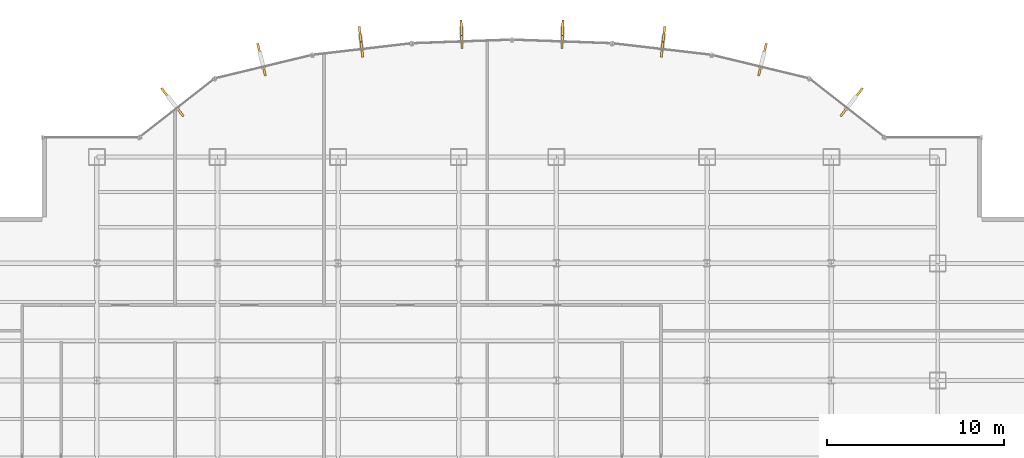
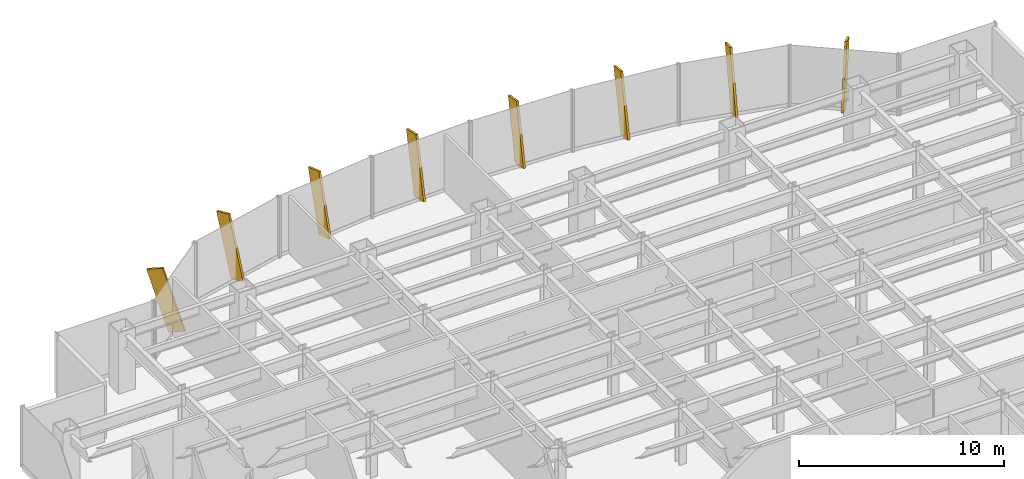
# One storey, part 21 of 22: 8 shading devices.
"""IFC4 building model written with IfcOpenShell, lengths in metres."""

from ifc_helpers import new_model, si_unit, derived_unit, direction, frame, origin, origin_2d, place, context, subcontext, project, spatial, rectangle, extrude, source, transform, mapped, material, type_object, element, save


model = new_model("IFC4")

# Units and contexts
model_context = context("Model", 3, precision=1e-05, world=origin(), true_north=direction((0.0, 1.0)))
body_context = subcontext(model_context, "Body", "Model", "MODEL_VIEW")
ifc_project = project(units=[si_unit("LENGTHUNIT", "METRE"), si_unit("AREAUNIT", "SQUARE_METRE"), si_unit("VOLUMEUNIT", "CUBIC_METRE"), si_unit("PLANEANGLEUNIT", "RADIAN"), si_unit("MASSUNIT", "GRAM", prefix="KILO"), derived_unit("THERMALTRANSMITTANCEUNIT", [(si_unit("POWERUNIT", "WATT"), 1), (si_unit("LENGTHUNIT", "METRE"), -2), (si_unit("THERMODYNAMICTEMPERATUREUNIT", "KELVIN"), -1)])], contexts=[model_context])

# Site, building, storey
site_placement = place(None, origin())
site = spatial("IfcSite", under=ifc_project, at=site_placement, CompositionType="ELEMENT")
building_placement = place(site_placement, origin())
building = spatial("IfcBuilding", under=site, at=building_placement, Name="Skarnbrae Concourse Arena and Tower", CompositionType="ELEMENT")
storey_placement = place(building_placement, frame((0.0, 0.0, 65.35009765625)))
storey = spatial("IfcBuildingStorey", under=building, at=storey_placement, Name="L15", CompositionType="ELEMENT", Elevation=65.35009765625)

# Shading devices
ifc_material = material(Name="Bronze anodised aluminium 6063-T6", Category="aluminium")
shading_device_type = type_object("IfcShadingDeviceType", Name="SHD-BRONZE-FIN-900", PredefinedType="USERDEFINED", material=ifc_material)
shared_shape = source(origin(), body_context, "Body", "SweptSolid", [
    extrude(rectangle(XDim=0.1201171875, YDim=0.89990234375, at=origin_2d()), origin(), (0.0, 0.0, 1.0), 3.64990234375),
])
for number, where, z_axis, x_axis, name in (
    (1, (49.784423828125, 43.030029296875, 0.0947265625), (0.19580213261, 0.250317994447, 0.94815738489), (0.787656027369, -0.616115234797, 0.0), "L15 Outward-leaning bronze shading fin 08"),
    (2, (44.99755859375, 45.385498046875, 0.07373046875), (0.066100416019, 0.273288980995, 0.959658203669), (0.971973311258, -0.235091221021, 0.0), "L15 Outward-leaning bronze shading fin 09"),
    (3, (39.46142578125, 46.452880859375, 0.052734375), (0.02772035435, 0.237258553337, 0.971050956862), (0.993243759876, -0.116046686587, 0.0), "L15 Outward-leaning bronze shading fin 10"),
    (4, (33.829345703125, 46.96142578125, 0.03515625), (0.007020947443, 0.195477788682, 0.98068299691), (0.999355613141, -0.035893710914, 0.0), "L15 Outward-leaning bronze shading fin 11"),
    (5, (28.170654296875, 46.96142578125, 0.03515625), (-0.007020947443, 0.195477788682, 0.98068299691), (0.999355613141, 0.035893710914, 0.0), "L15 Outward-leaning bronze shading fin 12"),
    (6, (22.53857421875, 46.452880859375, 0.052734375), (-0.02772035435, 0.237258553337, 0.971050956862), (0.993243759876, 0.116046686587, 0.0), "L15 Outward-leaning bronze shading fin 13"),
    (7, (17.00244140625, 45.385498046875, 0.07373046875), (-0.066100416019, 0.273288980995, 0.959658203669), (0.971973311258, 0.235091221021, 0.0), "L15 Outward-leaning bronze shading fin 14"),
    (8, (12.215576171875, 43.030029296875, 0.0947265625), (-0.19580213261, 0.250317994447, 0.94815738489), (0.787656027369, 0.616115234797, 0.0), "L15 Outward-leaning bronze shading fin 15"),
):
    element("IfcShadingDevice", number, at=place(storey_placement, frame(where, z_axis=z_axis, x_axis=x_axis)), inside=storey, type_object=shading_device_type, Name=name, ObjectType="FIN", PredefinedType="USERDEFINED", context=body_context, shape_type="MappedRepresentation", body=[
        mapped(shared_shape, transform((0.0, 0.0, 0.0))),
    ])

save(model, "model.ifc")
